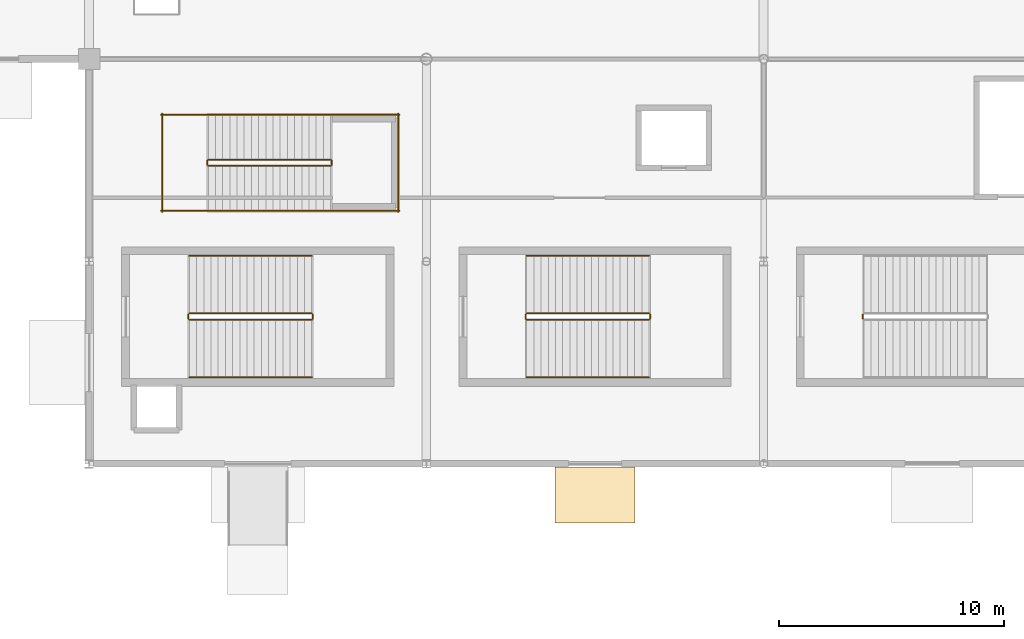
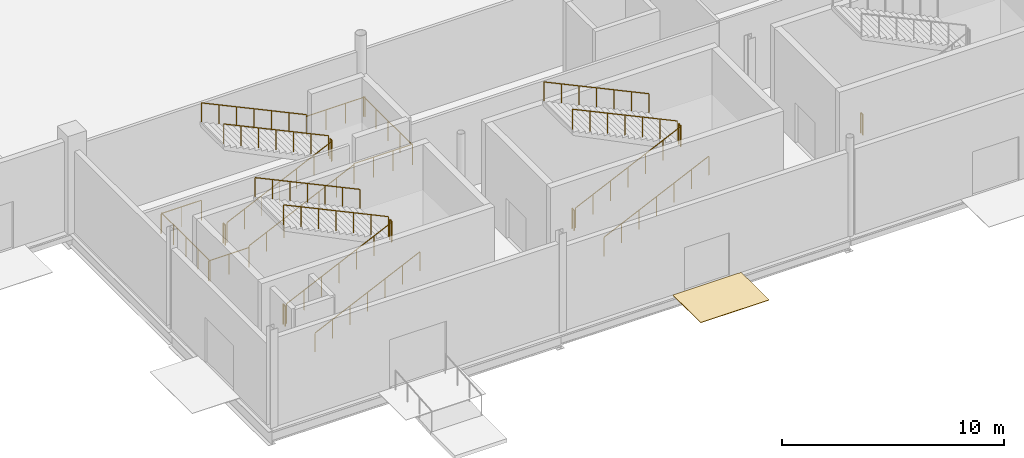
# One storey, part 74 of 94: 25 railings, 1 covering.
"""IFC4 building model written with IfcOpenShell, lengths in metres."""

from ifc_helpers import new_model, si_unit, direction, frame, origin, origin_2d, place, context, subcontext, project, spatial, rectangle, circle, extrude, material, layer, layer_set, type_object, element, save


model = new_model("IFC4")

# Units and contexts
model_context = context("Model", 3, precision=1e-05, world=origin(), true_north=direction((0.0, 1.0)))
body_context = subcontext(model_context, "Body", "Model", "MODEL_VIEW")
ifc_project = project(units=[si_unit("LENGTHUNIT", "METRE"), si_unit("AREAUNIT", "SQUARE_METRE"), si_unit("VOLUMEUNIT", "CUBIC_METRE"), si_unit("PLANEANGLEUNIT", "RADIAN"), si_unit("MASSUNIT", "GRAM", prefix="KILO")], contexts=[model_context])

# Site, building, storey
site_placement = place(None, origin())
site = spatial("IfcSite", under=ifc_project, at=site_placement, CompositionType="ELEMENT")
building_placement = place(site_placement, origin())
building = spatial("IfcBuilding", under=site, at=building_placement, Name="Qamarlyn Nura Convention Centre", CompositionType="ELEMENT")
storey_placement = place(building_placement, origin())
storey = spatial("IfcBuildingStorey", under=building, at=storey_placement, Name="L00", CompositionType="ELEMENT", Elevation=0.0)

# Covering
ifc_material_1 = material(Name="Polished coastal aggregate terrazzo")
ifc_layer = layer(ifc_material_1, 0.030029296875, Name="COV-FLOOR-TERR")
ifc_layer_set = layer_set([ifc_layer], Name="Polished coastal aggregate terrazzo")
covering_type = type_object("IfcCoveringType", Name="COV-FLOOR-TERR", PredefinedType="FLOORING", material=ifc_layer_set)
covering_placement = place(storey_placement, frame((82.50341796875, -1.389892578125, -0.02978515625), z_axis=(0.0, 0.0, 1.0), x_axis=(-1.0, 0.0, 0.0)))
element("IfcCovering", 1, at=covering_placement, inside=storey, type_object=covering_type, Name="Exterior exit threshold apron E-17", PredefinedType="FLOORING", context=body_context, shape_type="SweptSolid", body=[
    extrude(rectangle(XDim=3.550048828125, YDim=2.5, at=origin_2d()), origin(), (0.0, 0.0, 1.0), 0.030029296875),
])

# Railings
ifc_material_2 = material(Name="Marine Grade 316 stainless steel", Category="steel")
railing_type_1 = type_object("IfcRailingType", Name="GRD-STAIR-112", PredefinedType="BALUSTRADE", material=ifc_material_2)
railing_1_placement = place(storey_placement, frame((64.4599609375, 6.409912109375, 0.14990234375)))
element("IfcRailing", 2, at=railing_1_placement, inside=storey, type_object=railing_type_1, Name="L00 ST-05 stair guard 1", PredefinedType="BALUSTRADE", context=body_context, shape_type="SweptSolid", body=[
    extrude(circle(Radius=0.02392578125, at=origin_2d()), frame((0.0, 0.0, 1.09619140625), z_axis=(0.90545405566, 0.0, 0.424444287379), x_axis=(0.0, 1.0, 0.0)), (0.0, 0.0, 1.0), 6.008056640625),
    extrude(circle(Radius=0.02099609375, at=origin_2d()), origin(), (0.0, 0.0, 1.0), 1.070068359375),
    extrude(circle(Radius=0.02099609375, at=origin_2d()), frame((0.90673828125, 0.0, 0.425048828125)), (0.0, 0.0, 1.0), 1.070068359375),
    extrude(circle(Radius=0.02099609375, at=origin_2d()), frame((1.813232421875, 0.0, 0.85009765625)), (0.0, 0.0, 1.0), 1.070068359375),
    extrude(circle(Radius=0.02099609375, at=origin_2d()), frame((2.719970703125, 0.0, 1.27490234375)), (0.0, 0.0, 1.0), 1.070068359375),
    extrude(circle(Radius=0.02099609375, at=origin_2d()), frame((3.626708984375, 0.0, 1.699951171875)), (0.0, 0.0, 1.0), 1.070068359375),
    extrude(circle(Radius=0.02099609375, at=origin_2d()), frame((4.533203125, 0.0, 2.125)), (0.0, 0.0, 1.0), 1.070068359375),
    extrude(circle(Radius=0.02099609375, at=origin_2d()), frame((5.43994140625, 0.0, 2.550048828125)), (0.0, 0.0, 1.0), 1.070068359375),
])
railing_2_placement = place(storey_placement, frame((69.949951171875, 6.4599609375, 2.699951171875)))
element("IfcRailing", 3, at=railing_2_placement, inside=storey, type_object=railing_type_1, Name="L00 ST-05 stair guard 2", PredefinedType="BALUSTRADE", context=body_context, shape_type="SweptSolid", body=[
    extrude(circle(Radius=0.02392578125, at=origin_2d()), frame((0.0, 0.0, 1.09619140625), z_axis=(0.0, 1.0, 0.0), x_axis=(-1.0, 0.0, 0.0)), (0.0, 0.0, 1.0), 0.179931640625),
    extrude(circle(Radius=0.02099609375, at=origin_2d()), origin(), (0.0, 0.0, 1.0), 1.070068359375),
    extrude(circle(Radius=0.02099609375, at=origin_2d()), frame((0.0, 0.179931640625, 0.0)), (0.0, 0.0, 1.0), 1.070068359375),
])
railing_3_placement = place(storey_placement, frame((69.89990234375, 6.68994140625, 2.85009765625)))
element("IfcRailing", 4, at=railing_3_placement, inside=storey, type_object=railing_type_1, Name="L00 ST-05 stair guard 3", PredefinedType="BALUSTRADE", context=body_context, shape_type="SweptSolid", body=[
    extrude(circle(Radius=0.02392578125, at=origin_2d()), frame((0.0, 0.0, 1.09619140625), z_axis=(-0.90546967238, 0.0, 0.424410971113), x_axis=(0.0, -1.0, 0.0)), (0.0, 0.0, 1.0), 6.0078125),
    extrude(circle(Radius=0.02099609375, at=origin_2d()), origin(), (0.0, 0.0, 1.0), 1.070068359375),
    extrude(circle(Radius=0.02099609375, at=origin_2d()), frame((-0.90673828125, 0.0, 0.425048828125)), (0.0, 0.0, 1.0), 1.070068359375),
    extrude(circle(Radius=0.02099609375, at=origin_2d()), frame((-1.813232421875, 0.0, 0.849853515625)), (0.0, 0.0, 1.0), 1.070068359375),
    extrude(circle(Radius=0.02099609375, at=origin_2d()), frame((-2.719970703125, 0.0, 1.27490234375)), (0.0, 0.0, 1.0), 1.070068359375),
    extrude(circle(Radius=0.02099609375, at=origin_2d()), frame((-3.626708984375, 0.0, 1.699951171875)), (0.0, 0.0, 1.0), 1.070068359375),
    extrude(circle(Radius=0.02099609375, at=origin_2d()), frame((-4.533203125, 0.0, 2.124755859375)), (0.0, 0.0, 1.0), 1.070068359375),
    extrude(circle(Radius=0.02099609375, at=origin_2d()), frame((-5.43994140625, 0.0, 2.5498046875)), (0.0, 0.0, 1.0), 1.070068359375),
])
railing_4_placement = place(storey_placement, frame((64.409912109375, 6.4599609375, 0.0)))
element("IfcRailing", 5, at=railing_4_placement, inside=storey, type_object=railing_type_1, Name="L00 ST-05 stair guard 4", PredefinedType="BALUSTRADE", context=body_context, shape_type="SweptSolid", body=[
    extrude(circle(Radius=0.02392578125, at=origin_2d()), frame((0.0, 0.0, 1.09619140625), z_axis=(0.0, 1.0, 0.0), x_axis=(-1.0, 0.0, 0.0)), (0.0, 0.0, 1.0), 0.179931640625),
    extrude(circle(Radius=0.02099609375, at=origin_2d()), origin(), (0.0, 0.0, 1.0), 1.070068359375),
    extrude(circle(Radius=0.02099609375, at=origin_2d()), frame((0.0, 0.179931640625, 0.0)), (0.0, 0.0, 1.0), 1.070068359375),
])
railing_5_placement = place(storey_placement, frame((79.4599609375, 6.409912109375, 0.14990234375)))
element("IfcRailing", 6, at=railing_5_placement, inside=storey, type_object=railing_type_1, Name="L00 ST-06 stair guard 1", PredefinedType="BALUSTRADE", context=body_context, shape_type="SweptSolid", body=[
    extrude(circle(Radius=0.02392578125, at=origin_2d()), frame((0.0, 0.0, 1.09619140625), z_axis=(0.90545405566, 0.0, 0.424444287379), x_axis=(0.0, 1.0, 0.0)), (0.0, 0.0, 1.0), 6.008056640625),
    extrude(circle(Radius=0.02099609375, at=origin_2d()), origin(), (0.0, 0.0, 1.0), 1.070068359375),
    extrude(circle(Radius=0.02099609375, at=origin_2d()), frame((0.90673828125, 0.0, 0.425048828125)), (0.0, 0.0, 1.0), 1.070068359375),
    extrude(circle(Radius=0.02099609375, at=origin_2d()), frame((1.813232421875, 0.0, 0.85009765625)), (0.0, 0.0, 1.0), 1.070068359375),
    extrude(circle(Radius=0.02099609375, at=origin_2d()), frame((2.719970703125, 0.0, 1.27490234375)), (0.0, 0.0, 1.0), 1.070068359375),
    extrude(circle(Radius=0.02099609375, at=origin_2d()), frame((3.626708984375, 0.0, 1.699951171875)), (0.0, 0.0, 1.0), 1.070068359375),
    extrude(circle(Radius=0.02099609375, at=origin_2d()), frame((4.533203125, 0.0, 2.125)), (0.0, 0.0, 1.0), 1.070068359375),
    extrude(circle(Radius=0.02099609375, at=origin_2d()), frame((5.43994140625, 0.0, 2.550048828125)), (0.0, 0.0, 1.0), 1.070068359375),
])
railing_6_placement = place(storey_placement, frame((84.949951171875, 6.4599609375, 2.699951171875)))
element("IfcRailing", 7, at=railing_6_placement, inside=storey, type_object=railing_type_1, Name="L00 ST-06 stair guard 2", PredefinedType="BALUSTRADE", context=body_context, shape_type="SweptSolid", body=[
    extrude(circle(Radius=0.02392578125, at=origin_2d()), frame((0.0, 0.0, 1.09619140625), z_axis=(0.0, 1.0, 0.0), x_axis=(-1.0, 0.0, 0.0)), (0.0, 0.0, 1.0), 0.179931640625),
    extrude(circle(Radius=0.02099609375, at=origin_2d()), origin(), (0.0, 0.0, 1.0), 1.070068359375),
    extrude(circle(Radius=0.02099609375, at=origin_2d()), frame((0.0, 0.179931640625, 0.0)), (0.0, 0.0, 1.0), 1.070068359375),
])
railing_7_placement = place(storey_placement, frame((84.89990234375, 6.68994140625, 2.85009765625)))
element("IfcRailing", 8, at=railing_7_placement, inside=storey, type_object=railing_type_1, Name="L00 ST-06 stair guard 3", PredefinedType="BALUSTRADE", context=body_context, shape_type="SweptSolid", body=[
    extrude(circle(Radius=0.02392578125, at=origin_2d()), frame((0.0, 0.0, 1.09619140625), z_axis=(-0.90546967238, 0.0, 0.424410971113), x_axis=(0.0, -1.0, 0.0)), (0.0, 0.0, 1.0), 6.0078125),
    extrude(circle(Radius=0.02099609375, at=origin_2d()), origin(), (0.0, 0.0, 1.0), 1.070068359375),
    extrude(circle(Radius=0.02099609375, at=origin_2d()), frame((-0.90673828125, 0.0, 0.425048828125)), (0.0, 0.0, 1.0), 1.070068359375),
    extrude(circle(Radius=0.02099609375, at=origin_2d()), frame((-1.813232421875, 0.0, 0.849853515625)), (0.0, 0.0, 1.0), 1.070068359375),
    extrude(circle(Radius=0.02099609375, at=origin_2d()), frame((-2.719970703125, 0.0, 1.27490234375)), (0.0, 0.0, 1.0), 1.070068359375),
    extrude(circle(Radius=0.02099609375, at=origin_2d()), frame((-3.626708984375, 0.0, 1.699951171875)), (0.0, 0.0, 1.0), 1.070068359375),
    extrude(circle(Radius=0.02099609375, at=origin_2d()), frame((-4.533203125, 0.0, 2.124755859375)), (0.0, 0.0, 1.0), 1.070068359375),
    extrude(circle(Radius=0.02099609375, at=origin_2d()), frame((-5.43994140625, 0.0, 2.5498046875)), (0.0, 0.0, 1.0), 1.070068359375),
])
for number, where, name in (
    (9, (79.409912109375, 6.4599609375, 0.0), "L00 ST-06 stair guard 4"),
    (10, (94.409912109375, 6.4599609375, 0.0), "L00 ST-07 stair guard 4"),
):
    element("IfcRailing", number, at=place(storey_placement, frame(where)), inside=storey, type_object=railing_type_1, Name=name, PredefinedType="BALUSTRADE", context=body_context, shape_type="SweptSolid", body=[
        extrude(circle(Radius=0.02392578125, at=origin_2d()), frame((0.0, 0.0, 1.09619140625), z_axis=(0.0, 1.0, 0.0), x_axis=(-1.0, 0.0, 0.0)), (0.0, 0.0, 1.0), 0.179931640625),
        extrude(circle(Radius=0.02099609375, at=origin_2d()), origin(), (0.0, 0.0, 1.0), 1.070068359375),
        extrude(circle(Radius=0.02099609375, at=origin_2d()), frame((0.0, 0.179931640625, 0.0)), (0.0, 0.0, 1.0), 1.070068359375),
    ])
railing_8_placement = place(storey_placement, frame((65.300048828125, 13.25, 0.14990234375)))
element("IfcRailing", 11, at=railing_8_placement, inside=storey, type_object=railing_type_1, Name="L00 ST-19 stair guard 1", PredefinedType="BALUSTRADE", context=body_context, shape_type="SweptSolid", body=[
    extrude(circle(Radius=0.02392578125, at=origin_2d()), frame((0.0, 0.0, 1.09619140625), z_axis=(0.90545405566, 0.0, 0.424444287379), x_axis=(0.0, 1.0, 0.0)), (0.0, 0.0, 1.0), 6.008056640625),
    extrude(circle(Radius=0.02099609375, at=origin_2d()), origin(), (0.0, 0.0, 1.0), 1.070068359375),
    extrude(circle(Radius=0.02099609375, at=origin_2d()), frame((0.90673828125, 0.0, 0.425048828125)), (0.0, 0.0, 1.0), 1.070068359375),
    extrude(circle(Radius=0.02099609375, at=origin_2d()), frame((1.813232421875, 0.0, 0.85009765625)), (0.0, 0.0, 1.0), 1.070068359375),
    extrude(circle(Radius=0.02099609375, at=origin_2d()), frame((2.719970703125, 0.0, 1.27490234375)), (0.0, 0.0, 1.0), 1.070068359375),
    extrude(circle(Radius=0.02099609375, at=origin_2d()), frame((3.626708984375, 0.0, 1.699951171875)), (0.0, 0.0, 1.0), 1.070068359375),
    extrude(circle(Radius=0.02099609375, at=origin_2d()), frame((4.533203125, 0.0, 2.125)), (0.0, 0.0, 1.0), 1.070068359375),
    extrude(circle(Radius=0.02099609375, at=origin_2d()), frame((5.43994140625, 0.0, 2.550048828125)), (0.0, 0.0, 1.0), 1.070068359375),
])
railing_9_placement = place(storey_placement, frame((70.7900390625, 13.300048828125, 2.699951171875)))
element("IfcRailing", 12, at=railing_9_placement, inside=storey, type_object=railing_type_1, Name="L00 ST-19 stair guard 2", PredefinedType="BALUSTRADE", context=body_context, shape_type="SweptSolid", body=[
    extrude(circle(Radius=0.02392578125, at=origin_2d()), frame((0.0, 0.0, 1.09619140625), z_axis=(0.0, 1.0, 0.0), x_axis=(-1.0, 0.0, 0.0)), (0.0, 0.0, 1.0), 0.179931640625),
    extrude(circle(Radius=0.02099609375, at=origin_2d()), origin(), (0.0, 0.0, 1.0), 1.070068359375),
    extrude(circle(Radius=0.02099609375, at=origin_2d()), frame((0.0, 0.179931640625, 0.0)), (0.0, 0.0, 1.0), 1.070068359375),
])
for number, where, name in (
    (13, (70.739990234375, 11.25, 2.699951171875), "L00 ST-19 stair guard 3"),
    (14, (70.739990234375, 15.530029296875, 2.699951171875), "L00 ST-19 stair guard 4"),
):
    element("IfcRailing", number, at=place(storey_placement, frame(where)), inside=storey, type_object=railing_type_1, Name=name, PredefinedType="BALUSTRADE", context=body_context, shape_type="SweptSolid", body=[
        extrude(circle(Radius=0.02392578125, at=origin_2d()), frame((0.0, 0.0, 1.09619140625), z_axis=(1.0, 0.0, 0.0), x_axis=(0.0, 1.0, 0.0)), (0.0, 0.0, 1.0), 3.06005859375),
        extrude(circle(Radius=0.02099609375, at=origin_2d()), origin(), (0.0, 0.0, 1.0), 1.070068359375),
        extrude(circle(Radius=0.02099609375, at=origin_2d()), frame((1.02001953125, 0.0, 0.0)), (0.0, 0.0, 1.0), 1.070068359375),
        extrude(circle(Radius=0.02099609375, at=origin_2d()), frame((2.0400390625, 0.0, 0.0)), (0.0, 0.0, 1.0), 1.070068359375),
        extrude(circle(Radius=0.02099609375, at=origin_2d()), frame((3.06005859375, 0.0, 0.0)), (0.0, 0.0, 1.0), 1.070068359375),
    ])
railing_10_placement = place(storey_placement, frame((73.75, 11.199951171875, 2.699951171875)))
element("IfcRailing", 15, at=railing_10_placement, inside=storey, type_object=railing_type_1, Name="L00 ST-19 stair guard 5", PredefinedType="BALUSTRADE", context=body_context, shape_type="SweptSolid", body=[
    extrude(circle(Radius=0.02392578125, at=origin_2d()), frame((0.0, 0.0, 1.09619140625), z_axis=(0.0, 1.0, 0.0), x_axis=(-1.0, 0.0, 0.0)), (0.0, 0.0, 1.0), 4.380126953125),
    extrude(circle(Radius=0.02099609375, at=origin_2d()), origin(), (0.0, 0.0, 1.0), 1.070068359375),
    extrude(circle(Radius=0.02099609375, at=origin_2d()), frame((0.0, 1.094970703125, 0.0)), (0.0, 0.0, 1.0), 1.070068359375),
    extrude(circle(Radius=0.02099609375, at=origin_2d()), frame((0.0, 2.18994140625, 0.0)), (0.0, 0.0, 1.0), 1.070068359375),
    extrude(circle(Radius=0.02099609375, at=origin_2d()), frame((0.0, 3.28515625, 0.0)), (0.0, 0.0, 1.0), 1.070068359375),
    extrude(circle(Radius=0.02099609375, at=origin_2d()), frame((0.0, 4.380126953125, 0.0)), (0.0, 0.0, 1.0), 1.070068359375),
])
railing_11_placement = place(storey_placement, frame((70.739990234375, 13.530029296875, 2.85009765625)))
element("IfcRailing", 16, at=railing_11_placement, inside=storey, type_object=railing_type_1, Name="L00 ST-19 stair guard 6", PredefinedType="BALUSTRADE", context=body_context, shape_type="SweptSolid", body=[
    extrude(circle(Radius=0.02392578125, at=origin_2d()), frame((0.0, 0.0, 1.09619140625), z_axis=(-0.90546967238, 0.0, 0.424410971113), x_axis=(0.0, -1.0, 0.0)), (0.0, 0.0, 1.0), 6.0078125),
    extrude(circle(Radius=0.02099609375, at=origin_2d()), origin(), (0.0, 0.0, 1.0), 1.070068359375),
    extrude(circle(Radius=0.02099609375, at=origin_2d()), frame((-0.90673828125, 0.0, 0.425048828125)), (0.0, 0.0, 1.0), 1.070068359375),
    extrude(circle(Radius=0.02099609375, at=origin_2d()), frame((-1.813232421875, 0.0, 0.849853515625)), (0.0, 0.0, 1.0), 1.070068359375),
    extrude(circle(Radius=0.02099609375, at=origin_2d()), frame((-2.719970703125, 0.0, 1.27490234375)), (0.0, 0.0, 1.0), 1.070068359375),
    extrude(circle(Radius=0.02099609375, at=origin_2d()), frame((-3.626708984375, 0.0, 1.699951171875)), (0.0, 0.0, 1.0), 1.070068359375),
    extrude(circle(Radius=0.02099609375, at=origin_2d()), frame((-4.533203125, 0.0, 2.124755859375)), (0.0, 0.0, 1.0), 1.070068359375),
    extrude(circle(Radius=0.02099609375, at=origin_2d()), frame((-5.43994140625, 0.0, 2.5498046875)), (0.0, 0.0, 1.0), 1.070068359375),
])
railing_12_placement = place(storey_placement, frame((65.25, 13.300048828125, 0.0)))
element("IfcRailing", 17, at=railing_12_placement, inside=storey, type_object=railing_type_1, Name="L00 ST-19 stair guard 7", PredefinedType="BALUSTRADE", context=body_context, shape_type="SweptSolid", body=[
    extrude(circle(Radius=0.02392578125, at=origin_2d()), frame((0.0, 0.0, 1.09619140625), z_axis=(0.0, 1.0, 0.0), x_axis=(-1.0, 0.0, 0.0)), (0.0, 0.0, 1.0), 0.179931640625),
    extrude(circle(Radius=0.02099609375, at=origin_2d()), origin(), (0.0, 0.0, 1.0), 1.070068359375),
    extrude(circle(Radius=0.02099609375, at=origin_2d()), frame((0.0, 0.179931640625, 0.0)), (0.0, 0.0, 1.0), 1.070068359375),
])
for number, where, name in (
    (18, (63.199951171875, 11.25, 0.0), "L00 ST-19 stair guard 8"),
    (19, (63.199951171875, 15.530029296875, 0.0), "L00 ST-19 stair guard 9"),
):
    element("IfcRailing", number, at=place(storey_placement, frame(where)), inside=storey, type_object=railing_type_1, Name=name, PredefinedType="BALUSTRADE", context=body_context, shape_type="SweptSolid", body=[
        extrude(circle(Radius=0.02392578125, at=origin_2d()), frame((0.0, 0.0, 1.09619140625), z_axis=(1.0, 0.0, 0.0), x_axis=(0.0, 1.0, 0.0)), (0.0, 0.0, 1.0), 2.10009765625),
        extrude(circle(Radius=0.02099609375, at=origin_2d()), origin(), (0.0, 0.0, 1.0), 1.070068359375),
        extrude(circle(Radius=0.02099609375, at=origin_2d()), frame((1.050048828125, 0.0, 0.0)), (0.0, 0.0, 1.0), 1.070068359375),
        extrude(circle(Radius=0.02099609375, at=origin_2d()), frame((2.10009765625, 0.0, 0.0)), (0.0, 0.0, 1.0), 1.070068359375),
    ])
railing_13_placement = place(storey_placement, frame((63.25, 11.199951171875, 0.0)))
element("IfcRailing", 20, at=railing_13_placement, inside=storey, type_object=railing_type_1, Name="L00 ST-19 stair guard 10", PredefinedType="BALUSTRADE", context=body_context, shape_type="SweptSolid", body=[
    extrude(circle(Radius=0.02392578125, at=origin_2d()), frame((0.0, 0.0, 1.09619140625), z_axis=(0.0, 1.0, 0.0), x_axis=(-1.0, 0.0, 0.0)), (0.0, 0.0, 1.0), 4.380126953125),
    extrude(circle(Radius=0.02099609375, at=origin_2d()), origin(), (0.0, 0.0, 1.0), 1.070068359375),
    extrude(circle(Radius=0.02099609375, at=origin_2d()), frame((0.0, 1.094970703125, 0.0)), (0.0, 0.0, 1.0), 1.070068359375),
    extrude(circle(Radius=0.02099609375, at=origin_2d()), frame((0.0, 2.18994140625, 0.0)), (0.0, 0.0, 1.0), 1.070068359375),
    extrude(circle(Radius=0.02099609375, at=origin_2d()), frame((0.0, 3.28515625, 0.0)), (0.0, 0.0, 1.0), 1.070068359375),
    extrude(circle(Radius=0.02099609375, at=origin_2d()), frame((0.0, 4.380126953125, 0.0)), (0.0, 0.0, 1.0), 1.070068359375),
])
railing_type_2 = type_object("IfcRailingType", Name="HRL-STAIR-090", PredefinedType="HANDRAIL", material=ifc_material_2)
railing_14_placement = place(storey_placement, frame((64.4599609375, 3.85009765625, 0.30224609375)))
element("IfcRailing", 21, at=railing_14_placement, inside=storey, type_object=railing_type_2, Name="L00 ST-05 stair handrail 1", PredefinedType="HANDRAIL", context=body_context, shape_type="SweptSolid", body=[
    extrude(circle(Radius=0.02392578125, at=origin_2d()), frame((0.0, 0.0, 0.88818359375), z_axis=(0.90545405566, 0.0, 0.424444287379), x_axis=(0.0, 1.0, 0.0)), (0.0, 0.0, 1.0), 6.008056640625),
    extrude(circle(Radius=0.02099609375, at=origin_2d()), frame((0.0, 0.0, -0.155029296875)), (0.0, 0.0, 1.0), 1.01708984375),
    extrude(circle(Radius=0.02099609375, at=origin_2d()), frame((0.90673828125, 0.0, 0.27001953125)), (0.0, 0.0, 1.0), 1.01708984375),
    extrude(circle(Radius=0.02099609375, at=origin_2d()), frame((1.813232421875, 0.0, 0.695068359375)), (0.0, 0.0, 1.0), 1.01708984375),
    extrude(circle(Radius=0.02099609375, at=origin_2d()), frame((2.719970703125, 0.0, 1.1201171875)), (0.0, 0.0, 1.0), 1.01708984375),
    extrude(circle(Radius=0.02099609375, at=origin_2d()), frame((3.626708984375, 0.0, 1.544921875)), (0.0, 0.0, 1.0), 1.01708984375),
    extrude(circle(Radius=0.02099609375, at=origin_2d()), frame((4.533203125, 0.0, 1.969970703125)), (0.0, 0.0, 1.0), 1.01708984375),
    extrude(circle(Radius=0.02099609375, at=origin_2d()), frame((5.43994140625, 0.0, 2.39501953125)), (0.0, 0.0, 1.0), 1.01708984375),
])
railing_15_placement = place(storey_placement, frame((69.89990234375, 9.25, 3.002197265625)))
element("IfcRailing", 22, at=railing_15_placement, inside=storey, type_object=railing_type_2, Name="L00 ST-05 stair handrail 2", PredefinedType="HANDRAIL", context=body_context, shape_type="SweptSolid", body=[
    extrude(circle(Radius=0.02392578125, at=origin_2d()), frame((0.0, 0.0, 0.88818359375), z_axis=(-0.90545405566, 0.0, 0.424444287379), x_axis=(0.0, -1.0, 0.0)), (0.0, 0.0, 1.0), 6.008056640625),
    extrude(circle(Radius=0.02099609375, at=origin_2d()), frame((0.0, 0.0, -0.155029296875)), (0.0, 0.0, 1.0), 1.01708984375),
    extrude(circle(Radius=0.02099609375, at=origin_2d()), frame((-0.90673828125, 0.0, 0.27001953125)), (0.0, 0.0, 1.0), 1.01708984375),
    extrude(circle(Radius=0.02099609375, at=origin_2d()), frame((-1.813232421875, 0.0, 0.695068359375)), (0.0, 0.0, 1.0), 1.01708984375),
    extrude(circle(Radius=0.02099609375, at=origin_2d()), frame((-2.719970703125, 0.0, 1.1201171875)), (0.0, 0.0, 1.0), 1.01708984375),
    extrude(circle(Radius=0.02099609375, at=origin_2d()), frame((-3.626708984375, 0.0, 1.544921875)), (0.0, 0.0, 1.0), 1.01708984375),
    extrude(circle(Radius=0.02099609375, at=origin_2d()), frame((-4.533203125, 0.0, 1.969970703125)), (0.0, 0.0, 1.0), 1.01708984375),
    extrude(circle(Radius=0.02099609375, at=origin_2d()), frame((-5.43994140625, 0.0, 2.39501953125)), (0.0, 0.0, 1.0), 1.01708984375),
])
railing_16_placement = place(storey_placement, frame((79.4599609375, 3.85009765625, 0.30224609375)))
element("IfcRailing", 23, at=railing_16_placement, inside=storey, type_object=railing_type_2, Name="L00 ST-06 stair handrail 1", PredefinedType="HANDRAIL", context=body_context, shape_type="SweptSolid", body=[
    extrude(circle(Radius=0.02392578125, at=origin_2d()), frame((0.0, 0.0, 0.88818359375), z_axis=(0.90545405566, 0.0, 0.424444287379), x_axis=(0.0, 1.0, 0.0)), (0.0, 0.0, 1.0), 6.008056640625),
    extrude(circle(Radius=0.02099609375, at=origin_2d()), frame((0.0, 0.0, -0.155029296875)), (0.0, 0.0, 1.0), 1.01708984375),
    extrude(circle(Radius=0.02099609375, at=origin_2d()), frame((0.90673828125, 0.0, 0.27001953125)), (0.0, 0.0, 1.0), 1.01708984375),
    extrude(circle(Radius=0.02099609375, at=origin_2d()), frame((1.813232421875, 0.0, 0.695068359375)), (0.0, 0.0, 1.0), 1.01708984375),
    extrude(circle(Radius=0.02099609375, at=origin_2d()), frame((2.719970703125, 0.0, 1.1201171875)), (0.0, 0.0, 1.0), 1.01708984375),
    extrude(circle(Radius=0.02099609375, at=origin_2d()), frame((3.626708984375, 0.0, 1.544921875)), (0.0, 0.0, 1.0), 1.01708984375),
    extrude(circle(Radius=0.02099609375, at=origin_2d()), frame((4.533203125, 0.0, 1.969970703125)), (0.0, 0.0, 1.0), 1.01708984375),
    extrude(circle(Radius=0.02099609375, at=origin_2d()), frame((5.43994140625, 0.0, 2.39501953125)), (0.0, 0.0, 1.0), 1.01708984375),
])
railing_17_placement = place(storey_placement, frame((84.89990234375, 9.25, 3.002197265625)))
element("IfcRailing", 24, at=railing_17_placement, inside=storey, type_object=railing_type_2, Name="L00 ST-06 stair handrail 2", PredefinedType="HANDRAIL", context=body_context, shape_type="SweptSolid", body=[
    extrude(circle(Radius=0.02392578125, at=origin_2d()), frame((0.0, 0.0, 0.88818359375), z_axis=(-0.90545405566, 0.0, 0.424444287379), x_axis=(0.0, -1.0, 0.0)), (0.0, 0.0, 1.0), 6.008056640625),
    extrude(circle(Radius=0.02099609375, at=origin_2d()), frame((0.0, 0.0, -0.155029296875)), (0.0, 0.0, 1.0), 1.01708984375),
    extrude(circle(Radius=0.02099609375, at=origin_2d()), frame((-0.90673828125, 0.0, 0.27001953125)), (0.0, 0.0, 1.0), 1.01708984375),
    extrude(circle(Radius=0.02099609375, at=origin_2d()), frame((-1.813232421875, 0.0, 0.695068359375)), (0.0, 0.0, 1.0), 1.01708984375),
    extrude(circle(Radius=0.02099609375, at=origin_2d()), frame((-2.719970703125, 0.0, 1.1201171875)), (0.0, 0.0, 1.0), 1.01708984375),
    extrude(circle(Radius=0.02099609375, at=origin_2d()), frame((-3.626708984375, 0.0, 1.544921875)), (0.0, 0.0, 1.0), 1.01708984375),
    extrude(circle(Radius=0.02099609375, at=origin_2d()), frame((-4.533203125, 0.0, 1.969970703125)), (0.0, 0.0, 1.0), 1.01708984375),
    extrude(circle(Radius=0.02099609375, at=origin_2d()), frame((-5.43994140625, 0.0, 2.39501953125)), (0.0, 0.0, 1.0), 1.01708984375),
])
railing_18_placement = place(storey_placement, frame((65.300048828125, 11.25, 0.30224609375)))
element("IfcRailing", 25, at=railing_18_placement, inside=storey, type_object=railing_type_2, Name="L00 ST-19 stair handrail 1", PredefinedType="HANDRAIL", context=body_context, shape_type="SweptSolid", body=[
    extrude(circle(Radius=0.02392578125, at=origin_2d()), frame((0.0, 0.0, 0.88818359375), z_axis=(0.90545405566, 0.0, 0.424444287379), x_axis=(0.0, 1.0, 0.0)), (0.0, 0.0, 1.0), 6.008056640625),
    extrude(circle(Radius=0.02099609375, at=origin_2d()), frame((0.0, 0.0, -0.155029296875)), (0.0, 0.0, 1.0), 1.01708984375),
    extrude(circle(Radius=0.02099609375, at=origin_2d()), frame((0.90673828125, 0.0, 0.27001953125)), (0.0, 0.0, 1.0), 1.01708984375),
    extrude(circle(Radius=0.02099609375, at=origin_2d()), frame((1.813232421875, 0.0, 0.695068359375)), (0.0, 0.0, 1.0), 1.01708984375),
    extrude(circle(Radius=0.02099609375, at=origin_2d()), frame((2.719970703125, 0.0, 1.1201171875)), (0.0, 0.0, 1.0), 1.01708984375),
    extrude(circle(Radius=0.02099609375, at=origin_2d()), frame((3.626708984375, 0.0, 1.544921875)), (0.0, 0.0, 1.0), 1.01708984375),
    extrude(circle(Radius=0.02099609375, at=origin_2d()), frame((4.533203125, 0.0, 1.969970703125)), (0.0, 0.0, 1.0), 1.01708984375),
    extrude(circle(Radius=0.02099609375, at=origin_2d()), frame((5.43994140625, 0.0, 2.39501953125)), (0.0, 0.0, 1.0), 1.01708984375),
])
railing_19_placement = place(storey_placement, frame((70.739990234375, 15.530029296875, 3.002197265625)))
element("IfcRailing", 26, at=railing_19_placement, inside=storey, type_object=railing_type_2, Name="L00 ST-19 stair handrail 2", PredefinedType="HANDRAIL", context=body_context, shape_type="SweptSolid", body=[
    extrude(circle(Radius=0.02392578125, at=origin_2d()), frame((0.0, 0.0, 0.88818359375), z_axis=(-0.90545405566, 0.0, 0.424444287379), x_axis=(0.0, -1.0, 0.0)), (0.0, 0.0, 1.0), 6.008056640625),
    extrude(circle(Radius=0.02099609375, at=origin_2d()), frame((0.0, 0.0, -0.155029296875)), (0.0, 0.0, 1.0), 1.01708984375),
    extrude(circle(Radius=0.02099609375, at=origin_2d()), frame((-0.90673828125, 0.0, 0.27001953125)), (0.0, 0.0, 1.0), 1.01708984375),
    extrude(circle(Radius=0.02099609375, at=origin_2d()), frame((-1.813232421875, 0.0, 0.695068359375)), (0.0, 0.0, 1.0), 1.01708984375),
    extrude(circle(Radius=0.02099609375, at=origin_2d()), frame((-2.719970703125, 0.0, 1.1201171875)), (0.0, 0.0, 1.0), 1.01708984375),
    extrude(circle(Radius=0.02099609375, at=origin_2d()), frame((-3.626708984375, 0.0, 1.544921875)), (0.0, 0.0, 1.0), 1.01708984375),
    extrude(circle(Radius=0.02099609375, at=origin_2d()), frame((-4.533203125, 0.0, 1.969970703125)), (0.0, 0.0, 1.0), 1.01708984375),
    extrude(circle(Radius=0.02099609375, at=origin_2d()), frame((-5.43994140625, 0.0, 2.39501953125)), (0.0, 0.0, 1.0), 1.01708984375),
])

save(model, "model.ifc")
